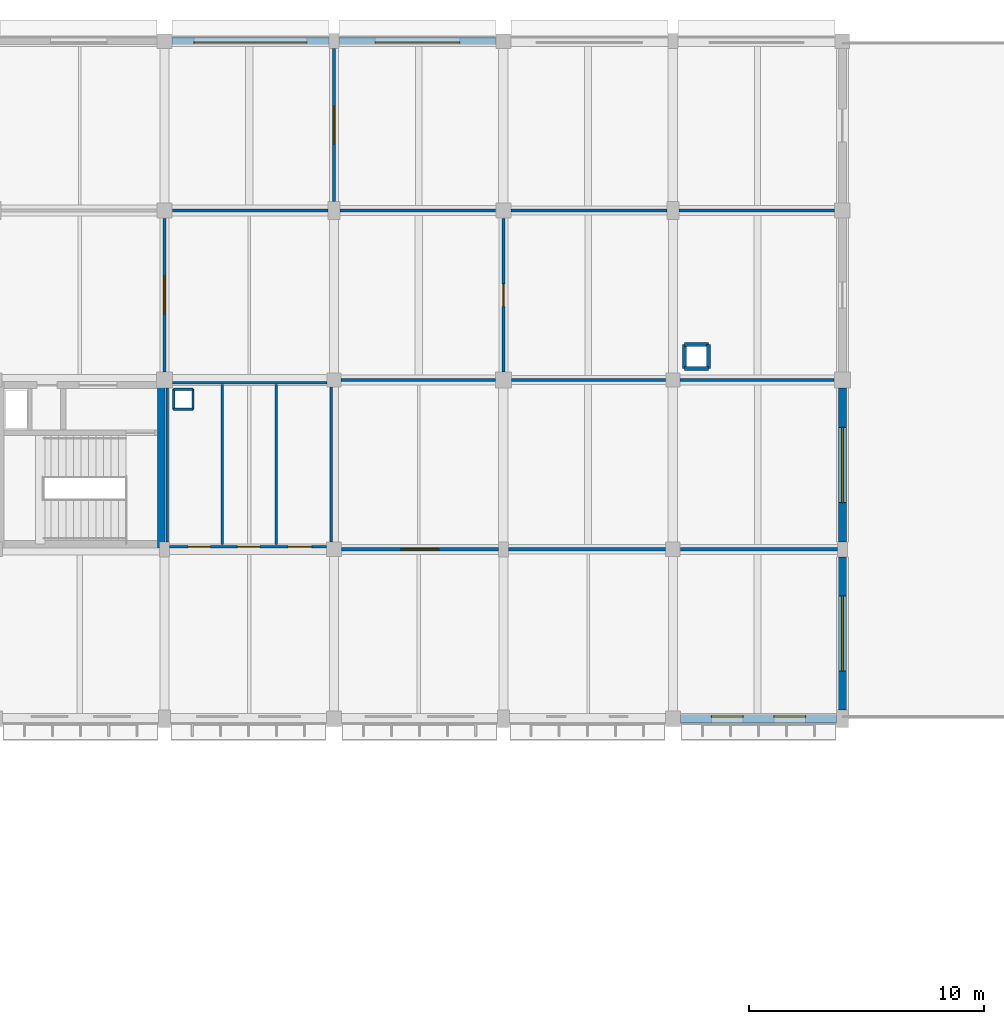
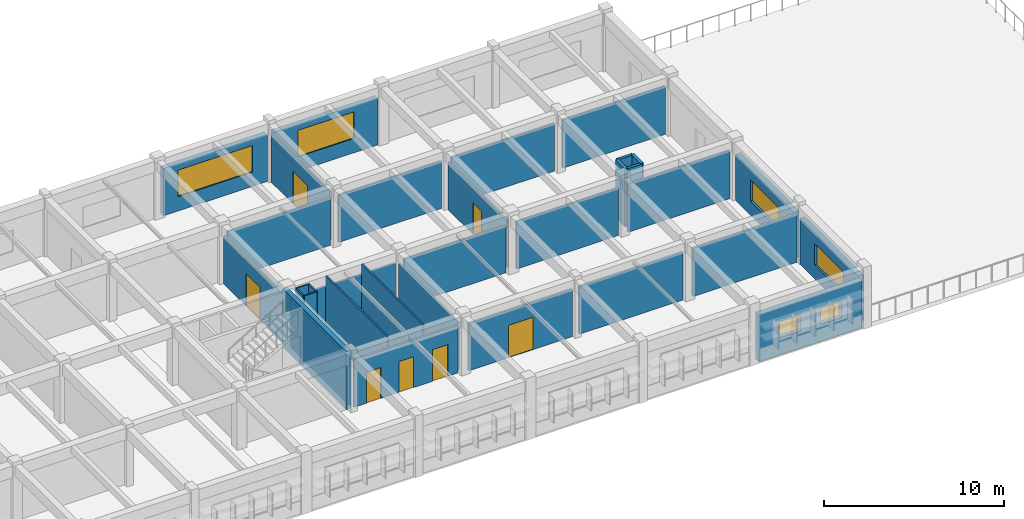
# One storey, part 27 of 38: 33 walls, 7 doors, 6 windows, 13 openings.
"""IFC4 building model written with IfcOpenShell, lengths in metres."""

from ifc_helpers import new_model, si_unit, direction, frame, frame_2d, origin, place, context, subcontext, project, spatial, rectangle, extrude, material, layer, layer_set, type_object, element, fill, save


model = new_model("IFC4")

# Units and contexts
model_context = context("Model", 3, precision=1e-05, world=origin(), true_north=direction((0.0, 1.0)))
body_context = subcontext(model_context, "Body", "Model", "MODEL_VIEW")
ifc_project = project(units=[si_unit("LENGTHUNIT", "METRE"), si_unit("AREAUNIT", "SQUARE_METRE"), si_unit("VOLUMEUNIT", "CUBIC_METRE"), si_unit("PLANEANGLEUNIT", "RADIAN"), si_unit("MASSUNIT", "GRAM", prefix="KILO")], contexts=[model_context])

# Site, building, storey
site_placement = place(None, origin())
site = spatial("IfcSite", under=ifc_project, at=site_placement, CompositionType="ELEMENT")
building_placement = place(site_placement, origin())
building = spatial("IfcBuilding", under=site, at=building_placement, Name="Thalmaran Polytechnic", CompositionType="ELEMENT")
storey_placement = place(building_placement, frame((0.0, 0.0, 18.60009765625)))
storey = spatial("IfcBuildingStorey", under=building, at=storey_placement, Name="L04", CompositionType="ELEMENT", Elevation=18.60009765625)

# Wall, openings, windows
ifc_material_1 = material(Name="Precast concrete C40/50", Category="concrete")
ifc_layer_1 = layer(ifc_material_1, 0.360107421875, Name="Precast concrete C40/50")
ifc_layer_set_1 = layer_set([ifc_layer_1], Name="Precast concrete C40/50")
wall_type_1 = type_object("IfcWallType", Name="WL-EW01", PredefinedType="STANDARD", material=ifc_layer_set_1)
wall_1_placement = place(storey_placement, frame((93.35009765625, 93.60009765625, 0.0), z_axis=(0.0, 0.0, 1.0), x_axis=(-1.0, 0.0, 0.0)))
wall_1 = element("IfcWall", 1, at=wall_1_placement, inside=storey, type_object=wall_type_1, Name="Exterior Precast Facade Wall L04-069", PredefinedType="STANDARD", context=body_context, shape_type="SweptSolid", body=[
    extrude(rectangle(XDim=6.625, YDim=0.360107421875, at=frame_2d((3.3125, 0.0))), origin(), (0.0, 0.0, 1.0), 3.179931640625),
])
opening_1_placement = place(wall_1_placement, frame((1.3125, 0.0, 1.14990234375)))
opening_1 = element("IfcOpeningElement", 2, at=opening_1_placement, cuts=wall_1, Name="Opening PW15", PredefinedType="OPENING", context=body_context, shape_type="SweptSolid", body=[
    extrude(rectangle(XDim=1.35009765625, YDim=1.10009765625, at=frame_2d((0.675048828125, 0.550048828125))), frame((0.0, 0.18994140625, 0.0), z_axis=(0.0, -1.0, 0.0), x_axis=(1.0, 0.0, 0.0)), (0.0, 0.0, 1.0), 0.380126953125),
])
opening_2_placement = place(wall_1_placement, frame((3.96240234375, 0.0, 1.14990234375)))
opening_2 = element("IfcOpeningElement", 3, at=opening_2_placement, cuts=wall_1, Name="Opening PW15", PredefinedType="OPENING", context=body_context, shape_type="SweptSolid", body=[
    extrude(rectangle(XDim=1.35009765625, YDim=1.10009765625, at=frame_2d((0.675048828125, 0.550048828125))), frame((0.0, 0.18994140625, 0.0), z_axis=(0.0, -1.0, 0.0), x_axis=(1.0, 0.0, 0.0)), (0.0, 0.0, 1.0), 0.380126953125),
])
ifc_material_2 = material(Name="Thermally broken aluminium and double low-E glass", Category="aluminium")
window_type_1 = type_object("IfcWindowType", Name="WN-PW05", PartitioningType="SINGLE_PANEL", PredefinedType="WINDOW", material=ifc_material_2)
window_1_placement = place(opening_1_placement, origin())
window_1 = element("IfcWindow", 4, at=window_1_placement, inside=storey, type_object=window_type_1, Name="Deep-Set Solar-Screened Window W-0604", OverallHeight=1.10009765625, OverallWidth=1.35009765625, PartitioningType="SINGLE_PANEL", PredefinedType="WINDOW", context=body_context, shape_type="SweptSolid", body=[
    extrude(rectangle(XDim=1.35009765625, YDim=1.10009765625, at=frame_2d((0.675048828125, 0.550048828125))), frame((0.0, -0.080078125, 0.0), z_axis=(0.0, -1.0, 0.0), x_axis=(1.0, 0.0, 0.0)), (0.0, 0.0, 1.0), 0.06005859375),
])
fill(opening_1, window_1)
window_2_placement = place(opening_2_placement, origin())
window_2 = element("IfcWindow", 5, at=window_2_placement, inside=storey, type_object=window_type_1, Name="Deep-Set Solar-Screened Window W-0605", OverallHeight=1.10009765625, OverallWidth=1.35009765625, PartitioningType="SINGLE_PANEL", PredefinedType="WINDOW", context=body_context, shape_type="SweptSolid", body=[
    extrude(rectangle(XDim=1.35009765625, YDim=1.10009765625, at=frame_2d((0.675048828125, 0.550048828125))), frame((0.0, -0.080078125, 0.0), z_axis=(0.0, -1.0, 0.0), x_axis=(1.0, 0.0, 0.0)), (0.0, 0.0, 1.0), 0.06005859375),
])
fill(opening_2, window_2)

# Wall, opening, window
ifc_layer_2 = layer(ifc_material_1, 0.330078125, Name="Precast concrete C40/50")
ifc_layer_set_2 = layer_set([ifc_layer_2], Name="Precast concrete C40/50")
wall_type_2 = type_object("IfcWallType", Name="WL-EW02", PredefinedType="STANDARD", material=ifc_layer_set_2)
wall_2_placement = place(storey_placement, frame((93.60009765625, 107.659912109375, 0.0), z_axis=(0.0, 0.0, 1.0), x_axis=(0.0, -1.0, 0.0)))
wall_2 = element("IfcWall", 6, at=wall_2_placement, inside=storey, type_object=wall_type_2, Name="Terrace Access Wall L04-067", PredefinedType="STANDARD", context=body_context, shape_type="SweptSolid", body=[
    extrude(rectangle(XDim=6.539794921875, YDim=0.330078125, at=frame_2d((3.27001953125, 0.0))), origin(), (0.0, 0.0, 1.0), 3.1298828125),
])
opening_3_placement = place(wall_2_placement, frame((1.669921875, 0.0, 0.949951171875)))
opening_3 = element("IfcOpeningElement", 7, at=opening_3_placement, cuts=wall_2, Name="Opening RW04", PredefinedType="OPENING", context=body_context, shape_type="SweptSolid", body=[
    extrude(rectangle(XDim=3.199951171875, YDim=1.449951171875, at=frame_2d((1.60009765625, 0.72509765625))), frame((0.0, 0.175048828125, 0.0), z_axis=(0.0, -1.0, 0.0), x_axis=(1.0, 0.0, 0.0)), (0.0, 0.0, 1.0), 0.35009765625),
])
window_type_2 = type_object("IfcWindowType", Name="WN-RW04", PartitioningType="DOUBLE_PANEL_VERTICAL", PredefinedType="WINDOW", material=ifc_material_2)
window_3_placement = place(opening_3_placement, origin())
window_3 = element("IfcWindow", 8, at=window_3_placement, inside=storey, type_object=window_type_2, Name="Terrace Ribbon Window W-0602", OverallHeight=1.449951171875, OverallWidth=3.199951171875, PartitioningType="SINGLE_PANEL", PredefinedType="WINDOW", context=body_context, shape_type="SweptSolid", body=[
    extrude(rectangle(XDim=3.199951171875, YDim=1.449951171875, at=frame_2d((1.60009765625, 0.72509765625))), frame((0.0, 0.030029296875, 0.0), z_axis=(0.0, -1.0, 0.0), x_axis=(1.0, 0.0, 0.0)), (0.0, 0.0, 1.0), 0.06005859375),
])
fill(opening_3, window_3)

wall_3_placement = place(storey_placement, frame((93.60009765625, 100.47998046875, 0.0), z_axis=(0.0, 0.0, 1.0), x_axis=(0.0, -1.0, 0.0)))
wall_3 = element("IfcWall", 9, at=wall_3_placement, inside=storey, type_object=wall_type_2, Name="Terrace Access Wall L04-068", PredefinedType="STANDARD", context=body_context, shape_type="SweptSolid", body=[
    extrude(rectangle(XDim=6.5048828125, YDim=0.330078125, at=frame_2d((3.25244140625, 0.0))), origin(), (0.0, 0.0, 1.0), 3.1298828125),
])
opening_4_placement = place(wall_3_placement, frame((1.652587890625, 0.0, 0.949951171875)))
opening_4 = element("IfcOpeningElement", 10, at=opening_4_placement, cuts=wall_3, Name="Opening RW04", PredefinedType="OPENING", context=body_context, shape_type="SweptSolid", body=[
    extrude(rectangle(XDim=3.199951171875, YDim=1.449951171875, at=frame_2d((1.60009765625, 0.72509765625))), frame((0.0, 0.175048828125, 0.0), z_axis=(0.0, -1.0, 0.0), x_axis=(1.0, 0.0, 0.0)), (0.0, 0.0, 1.0), 0.35009765625),
])
window_4_placement = place(opening_4_placement, origin())
window_4 = element("IfcWindow", 11, at=window_4_placement, inside=storey, type_object=window_type_2, Name="Terrace Ribbon Window W-0603", OverallHeight=1.449951171875, OverallWidth=3.199951171875, PartitioningType="SINGLE_PANEL", PredefinedType="WINDOW", context=body_context, shape_type="SweptSolid", body=[
    extrude(rectangle(XDim=3.199951171875, YDim=1.449951171875, at=frame_2d((1.60009765625, 0.72509765625))), frame((0.0, 0.030029296875, 0.0), z_axis=(0.0, -1.0, 0.0), x_axis=(1.0, 0.0, 0.0)), (0.0, 0.0, 1.0), 0.06005859375),
])
fill(opening_4, window_4)

ifc_layer_3 = layer(ifc_material_1, 0.31005859375, Name="Precast concrete C40/50")
ifc_layer_set_3 = layer_set([ifc_layer_3], Name="Precast concrete C40/50")
wall_type_3 = type_object("IfcWallType", Name="WL-EW03", PredefinedType="STANDARD", material=ifc_layer_set_3)
wall_4_placement = place(storey_placement, frame((65.110107421875, 122.39990234375, 0.0), z_axis=(0.0, 0.0, 1.0), x_axis=(1.0, 0.0, 0.0)))
wall_4 = element("IfcWall", 12, at=wall_4_placement, inside=storey, type_object=wall_type_3, Name="Exterior Precast Facade Wall L04-061", PredefinedType="STANDARD", context=body_context, shape_type="SweptSolid", body=[
    extrude(rectangle(XDim=6.679931640625, YDim=0.31005859375, at=frame_2d((3.33984375, 0.0))), origin(), (0.0, 0.0, 1.0), 3.199951171875),
])
opening_5_placement = place(wall_4_placement, frame((0.93994140625, 0.0, 0.97998046875)))
opening_5 = element("IfcOpeningElement", 13, at=opening_5_placement, cuts=wall_4, Name="Opening RW07", PredefinedType="OPENING", context=body_context, shape_type="SweptSolid", body=[
    extrude(rectangle(XDim=4.800048828125, YDim=1.800048828125, at=frame_2d((2.39990234375, 0.89990234375))), frame((0.0, 0.1650390625, 0.0), z_axis=(0.0, -1.0, 0.0), x_axis=(1.0, 0.0, 0.0)), (0.0, 0.0, 1.0), 0.330078125),
])
window_type_3 = type_object("IfcWindowType", Name="WN-RW07", PartitioningType="TRIPLE_PANEL_HORIZONTAL", PredefinedType="WINDOW", material=ifc_material_2)
window_5_placement = place(opening_5_placement, origin())
window_5 = element("IfcWindow", 14, at=window_5_placement, inside=storey, type_object=window_type_3, Name="Streamline Ribbon Window W-0598", OverallHeight=1.800048828125, OverallWidth=4.800048828125, PartitioningType="SINGLE_PANEL", PredefinedType="WINDOW", context=body_context, shape_type="SweptSolid", body=[
    extrude(rectangle(XDim=4.800048828125, YDim=1.800048828125, at=frame_2d((2.39990234375, 0.89990234375))), frame((0.0, -0.030029296875, 0.0), z_axis=(0.0, -1.0, 0.0), x_axis=(1.0, 0.0, 0.0)), (0.0, 0.0, 1.0), 0.06005859375),
])
fill(opening_5, window_5)

wall_5_placement = place(storey_placement, frame((72.2099609375, 122.39990234375, 0.0), z_axis=(0.0, 0.0, 1.0), x_axis=(1.0, 0.0, 0.0)))
wall_5 = element("IfcWall", 15, at=wall_5_placement, inside=storey, type_object=wall_type_3, Name="Exterior Precast Facade Wall L04-062", PredefinedType="STANDARD", context=body_context, shape_type="SweptSolid", body=[
    extrude(rectangle(XDim=6.679931640625, YDim=0.31005859375, at=frame_2d((3.33984375, 0.0))), origin(), (0.0, 0.0, 1.0), 3.179931640625),
])
opening_6_placement = place(wall_5_placement, frame((1.5400390625, 0.0, 0.97998046875)))
opening_6 = element("IfcOpeningElement", 16, at=opening_6_placement, cuts=wall_5, Name="Opening RW08", PredefinedType="OPENING", context=body_context, shape_type="SweptSolid", body=[
    extrude(rectangle(XDim=3.60009765625, YDim=1.800048828125, at=frame_2d((1.800048828125, 0.89990234375))), frame((0.0, 0.1650390625, 0.0), z_axis=(0.0, -1.0, 0.0), x_axis=(1.0, 0.0, 0.0)), (0.0, 0.0, 1.0), 0.330078125),
])
window_type_4 = type_object("IfcWindowType", Name="WN-RW08", PartitioningType="DOUBLE_PANEL_VERTICAL", PredefinedType="WINDOW", material=ifc_material_2)
window_6_placement = place(opening_6_placement, origin())
window_6 = element("IfcWindow", 17, at=window_6_placement, inside=storey, type_object=window_type_4, Name="Streamline Ribbon Window W-0599", OverallHeight=1.800048828125, OverallWidth=3.60009765625, PartitioningType="SINGLE_PANEL", PredefinedType="WINDOW", context=body_context, shape_type="SweptSolid", body=[
    extrude(rectangle(XDim=3.60009765625, YDim=1.800048828125, at=frame_2d((1.800048828125, 0.89990234375))), frame((0.0, -0.030029296875, 0.0), z_axis=(0.0, -1.0, 0.0), x_axis=(1.0, 0.0, 0.0)), (0.0, 0.0, 1.0), 0.06005859375),
])
fill(opening_6, window_6)

# Walls
ifc_material_3 = material(Name="Autoclaved aerated masonry", Category="masonry")
ifc_layer_4 = layer(ifc_material_3, 0.179931640625, Name="Autoclaved aerated masonry")
ifc_layer_set_4 = layer_set([ifc_layer_4], Name="Autoclaved aerated masonry")
wall_type_4 = type_object("IfcWallType", Name="WL-IW04", PredefinedType="PARTITIONING", material=ifc_layer_set_4)
for number, where, z_axis, x_axis, name in (
    (18, (86.889892578125, 108.489990234375, 0.0), (0.0, 0.0, 1.0), (1.0, 0.0, 0.0), "Fume Exhaust Riser Shaft Wall L04 (12,15)-S"),
    (19, (87.909912109375, 108.489990234375, 0.0), (0.0, 0.0, 1.0), (0.0, 1.0, 0.0), "Fume Exhaust Riser Shaft Wall L04 (12,15)-E"),
    (20, (87.909912109375, 109.510009765625, 0.0), (0.0, 0.0, 1.0), (-1.0, 0.0, 0.0), "Fume Exhaust Riser Shaft Wall L04 (12,15)-N"),
    (21, (86.889892578125, 109.510009765625, 0.0), (0.0, 0.0, 1.0), (0.0, -1.0, 0.0), "Fume Exhaust Riser Shaft Wall L04 (12,15)-W"),
):
    element("IfcWall", number, at=place(storey_placement, frame(where, z_axis=z_axis, x_axis=x_axis)), inside=storey, type_object=wall_type_4, Name=name, PredefinedType="PARTITIONING", context=body_context, shape_type="SweptSolid", body=[
        extrude(rectangle(XDim=1.02001953125, YDim=0.179931640625, at=frame_2d((0.510009765625, 0.0))), origin(), (0.0, 0.0, 1.0), 3.954833984375),
    ])

# Wall, opening, door
ifc_material_4 = material(Name="Gypsum acoustic partition")
ifc_layer_5 = layer(ifc_material_4, 0.14501953125, Name="Gypsum acoustic partition")
ifc_layer_set_5 = layer_set([ifc_layer_5], Name="Gypsum acoustic partition")
wall_type_5 = type_object("IfcWallType", Name="WL-IW06", PredefinedType="PARTITIONING", material=ifc_layer_set_5)
wall_6_placement = place(storey_placement, frame((64.800048828125, 108.344970703125, 0.0), z_axis=(0.0, 0.0, 1.0), x_axis=(0.0, 1.0, 0.0)))
wall_6 = element("IfcWall", 22, at=wall_6_placement, inside=storey, type_object=wall_type_5, Name="Interior Partition IW06 L04-048", PredefinedType="PARTITIONING", context=body_context, shape_type="SweptSolid", body=[
    extrude(rectangle(XDim=6.525146484375, YDim=0.14501953125, at=frame_2d((3.2626953125, 0.0))), origin(), (0.0, 0.0, 1.0), 3.260009765625),
])
opening_7_placement = place(wall_6_placement, frame((2.46240234375, 0.0, 0.0)))
opening_7 = element("IfcOpeningElement", 23, at=opening_7_placement, cuts=wall_6, Name="Opening D-L04-020-2-13-1", PredefinedType="OPENING", context=body_context, shape_type="SweptSolid", body=[
    extrude(rectangle(XDim=1.60009765625, YDim=2.199951171875, at=frame_2d((0.800048828125, 1.10009765625))), frame((0.0, 0.08251953125, 0.0), z_axis=(0.0, -1.0, 0.0), x_axis=(1.0, 0.0, 0.0)), (0.0, 0.0, 1.0), 0.1650390625),
])
ifc_material_5 = material(Name="Powder-coated fire-rated steel", Category="steel")
door_type_1 = type_object("IfcDoorType", Name="DR-FD05", OperationType="NOTDEFINED", PredefinedType="DOOR", material=ifc_material_5)
door_1_placement = place(opening_7_placement, origin())
door_1 = element("IfcDoor", 24, at=door_1_placement, inside=storey, type_object=door_type_1, Name="Technical Reference Library Reading Room L04-13 Door 1", OperationType="DOUBLE_DOOR_SINGLE_SWING", OverallHeight=2.199951171875, OverallWidth=1.60009765625, PredefinedType="DOOR", context=body_context, shape_type="SweptSolid", body=[
    extrude(rectangle(XDim=1.60009765625, YDim=2.199951171875, at=frame_2d((0.800048828125, 1.10009765625))), frame((0.0, 0.02490234375, 0.0), z_axis=(0.0, -1.0, 0.0), x_axis=(1.0, 0.0, 0.0)), (0.0, 0.0, 1.0), 0.050048828125),
])
fill(opening_7, door_1)

wall_7_placement = place(storey_placement, frame((72.31494140625, 100.800048828125, 0.0), z_axis=(0.0, 0.0, 1.0), x_axis=(1.0, 0.0, 0.0)))
wall_7 = element("IfcWall", 25, at=wall_7_placement, inside=storey, type_object=wall_type_5, Name="Interior Partition IW06 L04-052", PredefinedType="PARTITIONING", context=body_context, shape_type="SweptSolid", body=[
    extrude(rectangle(XDim=6.670166015625, YDim=0.14501953125, at=frame_2d((3.3349609375, 0.0))), origin(), (0.0, 0.0, 1.0), 3.21484375),
])
opening_8_placement = place(wall_7_placement, frame((2.534912109375, 0.0, 0.0)))
opening_8 = element("IfcOpeningElement", 26, at=opening_8_placement, cuts=wall_7, Name="Opening D-L04-021-2-14-1", PredefinedType="OPENING", context=body_context, shape_type="SweptSolid", body=[
    extrude(rectangle(XDim=1.60009765625, YDim=2.199951171875, at=frame_2d((0.800048828125, 1.10009765625))), frame((0.0, 0.08251953125, 0.0), z_axis=(0.0, -1.0, 0.0), x_axis=(1.0, 0.0, 0.0)), (0.0, 0.0, 1.0), 0.1650390625),
])
door_2_placement = place(opening_8_placement, origin())
door_2 = element("IfcDoor", 27, at=door_2_placement, inside=storey, type_object=door_type_1, Name="Polytechnic Library Reading Hall L04-14 Door 1", OperationType="DOUBLE_DOOR_SINGLE_SWING", OverallHeight=2.199951171875, OverallWidth=1.60009765625, PredefinedType="DOOR", context=body_context, shape_type="SweptSolid", body=[
    extrude(rectangle(XDim=1.60009765625, YDim=2.199951171875, at=frame_2d((0.800048828125, 1.10009765625))), frame((0.0, 0.02490234375, 0.0), z_axis=(0.0, -1.0, 0.0), x_axis=(1.0, 0.0, 0.0)), (0.0, 0.0, 1.0), 0.050048828125),
])
fill(opening_8, door_2)

# Walls
wall_8_placement = place(storey_placement, frame((79.4150390625, 100.800048828125, 0.0), z_axis=(0.0, 0.0, 1.0), x_axis=(1.0, 0.0, 0.0)))
element("IfcWall", 28, at=wall_8_placement, inside=storey, type_object=wall_type_5, Name="Interior Partition IW06 L04-056", PredefinedType="PARTITIONING", context=body_context, shape_type="SweptSolid", body=[
    extrude(rectangle(XDim=6.669921875, YDim=0.14501953125, at=frame_2d((3.3349609375, 0.0))), origin(), (0.0, 0.0, 1.0), 3.23486328125),
])
wall_9_placement = place(storey_placement, frame((86.715087890625, 100.800048828125, 0.0), z_axis=(0.0, 0.0, 1.0), x_axis=(1.0, 0.0, 0.0)))
element("IfcWall", 29, at=wall_9_placement, inside=storey, type_object=wall_type_5, Name="Interior Partition IW06 L04-059", PredefinedType="PARTITIONING", context=body_context, shape_type="SweptSolid", body=[
    extrude(rectangle(XDim=6.669921875, YDim=0.14501953125, at=frame_2d((3.3349609375, 0.0))), origin(), (0.0, 0.0, 1.0), 3.27490234375),
])
ifc_layer_6 = layer(ifc_material_4, 0.1298828125, Name="Gypsum acoustic partition")
ifc_layer_set_6 = layer_set([ifc_layer_6], Name="Gypsum acoustic partition")
wall_type_6 = type_object("IfcWallType", Name="WL-IW07", PredefinedType="PARTITIONING", material=ifc_layer_set_6)
wall_10_placement = place(storey_placement, frame((65.1298828125, 115.199951171875, 0.0), z_axis=(0.0, 0.0, 1.0), x_axis=(1.0, 0.0, 0.0)))
element("IfcWall", 30, at=wall_10_placement, inside=storey, type_object=wall_type_6, Name="Interior Partition IW07 L04-050", PredefinedType="PARTITIONING", context=body_context, shape_type="SweptSolid", body=[
    extrude(rectangle(XDim=6.615234375, YDim=0.1298828125, at=frame_2d((3.3076171875, 0.0))), origin(), (0.0, 0.0, 1.0), 3.22998046875),
])

# Wall, opening, door
wall_11_placement = place(storey_placement, frame((79.199951171875, 108.344970703125, 0.0), z_axis=(0.0, 0.0, 1.0), x_axis=(0.0, 1.0, 0.0)))
wall_11 = element("IfcWall", 31, at=wall_11_placement, inside=storey, type_object=wall_type_6, Name="Interior Partition IW07 L04-054", PredefinedType="PARTITIONING", context=body_context, shape_type="SweptSolid", body=[
    extrude(rectangle(XDim=6.525146484375, YDim=0.1298828125, at=frame_2d((3.2626953125, 0.0))), origin(), (0.0, 0.0, 1.0), 3.239990234375),
])
opening_9_placement = place(wall_11_placement, frame((2.78759765625, 0.0, 0.0)))
opening_9 = element("IfcOpeningElement", 32, at=opening_9_placement, cuts=wall_11, Name="Opening D-L04-023-2-16-1", PredefinedType="OPENING", context=body_context, shape_type="SweptSolid", body=[
    extrude(rectangle(XDim=0.949951171875, YDim=2.14990234375, at=frame_2d((0.47509765625, 1.074951171875))), frame((0.0, 0.074951171875, 0.0), z_axis=(0.0, -1.0, 0.0), x_axis=(1.0, 0.0, 0.0)), (0.0, 0.0, 1.0), 0.14990234375),
])
door_type_2 = type_object("IfcDoorType", Name="DR-FD08", OperationType="NOTDEFINED", PredefinedType="DOOR", material=ifc_material_5)
door_3_placement = place(opening_9_placement, origin())
door_3 = element("IfcDoor", 33, at=door_3_placement, inside=storey, type_object=door_type_2, Name="Digital Learning Commons L04-16 Door 1", OperationType="SINGLE_SWING_RIGHT", OverallHeight=2.14990234375, OverallWidth=0.949951171875, PredefinedType="DOOR", context=body_context, shape_type="SweptSolid", body=[
    extrude(rectangle(XDim=0.949951171875, YDim=2.14990234375, at=frame_2d((0.47509765625, 1.074951171875))), frame((0.0, 0.02490234375, 0.0), z_axis=(0.0, -1.0, 0.0), x_axis=(1.0, 0.0, 0.0)), (0.0, 0.0, 1.0), 0.050048828125),
])
fill(opening_9, door_3)

# Walls
wall_12_placement = place(storey_placement, frame((79.530029296875, 115.199951171875, 0.0), z_axis=(0.0, 0.0, 1.0), x_axis=(1.0, 0.0, 0.0)))
element("IfcWall", 34, at=wall_12_placement, inside=storey, type_object=wall_type_6, Name="Interior Partition IW07 L04-058", PredefinedType="PARTITIONING", context=body_context, shape_type="SweptSolid", body=[
    extrude(rectangle(XDim=6.614990234375, YDim=0.1298828125, at=frame_2d((3.3076171875, 0.0))), origin(), (0.0, 0.0, 1.0), 3.23486328125),
])
wall_13_placement = place(storey_placement, frame((86.705078125, 108.0, 0.0), z_axis=(0.0, 0.0, 1.0), x_axis=(1.0, 0.0, 0.0)))
element("IfcWall", 35, at=wall_13_placement, inside=storey, type_object=wall_type_6, Name="Interior Partition IW07 L04-060", PredefinedType="PARTITIONING", context=body_context, shape_type="SweptSolid", body=[
    extrude(rectangle(XDim=6.5498046875, YDim=0.1298828125, at=frame_2d((3.27490234375, 0.0))), origin(), (0.0, 0.0, 1.0), 3.27490234375),
])

# Wall, openings, doors
ifc_layer_7 = layer(ifc_material_4, 0.114990234375, Name="Gypsum acoustic partition")
ifc_layer_set_7 = layer_set([ifc_layer_7], Name="Gypsum acoustic partition")
wall_type_7 = type_object("IfcWallType", Name="WL-IW08", PredefinedType="PARTITIONING", material=ifc_layer_set_7)
wall_14_placement = place(storey_placement, frame((65.014892578125, 100.919921875, 0.0), z_axis=(0.0, 0.0, 1.0), x_axis=(1.0, 0.0, 0.0)))
wall_14 = element("IfcWall", 36, at=wall_14_placement, inside=storey, type_object=wall_type_7, Name="Sanitary Core Wall L04-W2-S", PredefinedType="PARTITIONING", context=body_context, shape_type="SweptSolid", body=[
    extrude(rectangle(XDim=6.670166015625, YDim=0.114990234375, at=frame_2d((3.3349609375, 0.0))), origin(), (0.0, 0.0, 1.0), 3.22998046875),
])
opening_10_placement = place(wall_14_placement, frame((0.784912109375, 0.0, 0.0)))
opening_10 = element("IfcOpeningElement", 37, at=opening_10_placement, cuts=wall_14, Name="Opening WD-L04-W2-1", PredefinedType="OPENING", context=body_context, shape_type="SweptSolid", body=[
    extrude(rectangle(XDim=0.949951171875, YDim=2.10009765625, at=frame_2d((0.47509765625, 1.050048828125))), frame((0.0, 0.0673828125, 0.0), z_axis=(0.0, -1.0, 0.0), x_axis=(1.0, 0.0, 0.0)), (0.0, 0.0, 1.0), 0.135009765625),
])
opening_11_placement = place(wall_14_placement, frame((2.885009765625, 0.0, 0.0)))
opening_11 = element("IfcOpeningElement", 38, at=opening_11_placement, cuts=wall_14, Name="Opening WD-L04-W2-2", PredefinedType="OPENING", context=body_context, shape_type="SweptSolid", body=[
    extrude(rectangle(XDim=0.949951171875, YDim=2.10009765625, at=frame_2d((0.47509765625, 1.050048828125))), frame((0.0, 0.0673828125, 0.0), z_axis=(0.0, -1.0, 0.0), x_axis=(1.0, 0.0, 0.0)), (0.0, 0.0, 1.0), 0.135009765625),
])
opening_12_placement = place(wall_14_placement, frame((5.034912109375, 0.0, 0.0)))
opening_12 = element("IfcOpeningElement", 39, at=opening_12_placement, cuts=wall_14, Name="Opening WD-L04-W2-3", PredefinedType="OPENING", context=body_context, shape_type="SweptSolid", body=[
    extrude(rectangle(XDim=1.0, YDim=2.14990234375, at=frame_2d((0.5, 1.074951171875))), frame((0.0, 0.0673828125, 0.0), z_axis=(0.0, -1.0, 0.0), x_axis=(1.0, 0.0, 0.0)), (0.0, 0.0, 1.0), 0.135009765625),
])
ifc_material_6 = material(Name="Acoustic hardwood", Category="wood")
door_type_3 = type_object("IfcDoorType", Name="DR-ID06", OperationType="NOTDEFINED", PredefinedType="DOOR", material=ifc_material_6)
door_4_placement = place(opening_12_placement, origin())
door_4 = element("IfcDoor", 40, at=door_4_placement, inside=storey, type_object=door_type_3, Name="Accessible WC Door L04-W2", OperationType="SINGLE_SWING_LEFT", OverallHeight=2.14990234375, OverallWidth=1.0, PredefinedType="DOOR", context=body_context, shape_type="SweptSolid", body=[
    extrude(rectangle(XDim=1.0, YDim=2.14990234375, at=frame_2d((0.5, 1.074951171875))), frame((0.0, 0.02490234375, 0.0), z_axis=(0.0, -1.0, 0.0), x_axis=(1.0, 0.0, 0.0)), (0.0, 0.0, 1.0), 0.050048828125),
])
fill(opening_12, door_4)
ifc_material_7 = material(Name="Moisture-resistant laminate timber", Category="wood")
door_type_4 = type_object("IfcDoorType", Name="DR-ID07", OperationType="NOTDEFINED", PredefinedType="DOOR", material=ifc_material_7)
door_5_placement = place(opening_10_placement, origin())
door_5 = element("IfcDoor", 41, at=door_5_placement, inside=storey, type_object=door_type_4, Name="Male WC Door L04-W2", OperationType="SINGLE_SWING_LEFT", OverallHeight=2.10009765625, OverallWidth=0.949951171875, PredefinedType="DOOR", context=body_context, shape_type="SweptSolid", body=[
    extrude(rectangle(XDim=0.949951171875, YDim=2.10009765625, at=frame_2d((0.47509765625, 1.050048828125))), frame((0.0, 0.02490234375, 0.0), z_axis=(0.0, -1.0, 0.0), x_axis=(1.0, 0.0, 0.0)), (0.0, 0.0, 1.0), 0.050048828125),
])
fill(opening_10, door_5)
door_6_placement = place(opening_11_placement, origin())
door_6 = element("IfcDoor", 42, at=door_6_placement, inside=storey, type_object=door_type_4, Name="Female WC Door L04-W2", OperationType="SINGLE_SWING_RIGHT", OverallHeight=2.10009765625, OverallWidth=0.949951171875, PredefinedType="DOOR", context=body_context, shape_type="SweptSolid", body=[
    extrude(rectangle(XDim=0.949951171875, YDim=2.10009765625, at=frame_2d((0.47509765625, 1.050048828125))), frame((0.0, 0.02490234375, 0.0), z_axis=(0.0, -1.0, 0.0), x_axis=(1.0, 0.0, 0.0)), (0.0, 0.0, 1.0), 0.050048828125),
])
fill(opening_11, door_6)

# Walls
wall_15_placement = place(storey_placement, frame((65.14501953125, 107.8798828125, 0.0), z_axis=(0.0, 0.0, 1.0), x_axis=(1.0, 0.0, 0.0)))
element("IfcWall", 43, at=wall_15_placement, inside=storey, type_object=wall_type_7, Name="Sanitary Core Wall L04-W2-N", PredefinedType="PARTITIONING", context=body_context, shape_type="SweptSolid", body=[
    extrude(rectangle(XDim=6.550048828125, YDim=0.114990234375, at=frame_2d((3.27490234375, 0.0))), origin(), (0.0, 0.0, 1.0), 3.22998046875),
])
wall_16_placement = place(storey_placement, frame((64.919921875, 101.125, 0.0), z_axis=(0.0, 0.0, 1.0), x_axis=(0.0, 1.0, 0.0)))
element("IfcWall", 44, at=wall_16_placement, inside=storey, type_object=wall_type_7, Name="Sanitary Side Wall L04-W2-W", PredefinedType="PARTITIONING", context=body_context, shape_type="SweptSolid", body=[
    extrude(rectangle(XDim=6.530029296875, YDim=0.114990234375, at=frame_2d((3.26513671875, 0.0))), origin(), (0.0, 0.0, 1.0), 3.260009765625),
])
wall_17_placement = place(storey_placement, frame((71.8798828125, 101.114990234375, 0.0), z_axis=(0.0, 0.0, 1.0), x_axis=(0.0, 1.0, 0.0)))
element("IfcWall", 45, at=wall_17_placement, inside=storey, type_object=wall_type_7, Name="Sanitary Side Wall L04-W2-E", PredefinedType="PARTITIONING", context=body_context, shape_type="SweptSolid", body=[
    extrude(rectangle(XDim=6.580078125, YDim=0.114990234375, at=frame_2d((3.2900390625, 0.0))), origin(), (0.0, 0.0, 1.0), 3.239990234375),
])

# Wall, opening, door
wall_18_placement = place(storey_placement, frame((72.0, 115.580078125, 0.0), z_axis=(0.0, 0.0, 1.0), x_axis=(0.0, 1.0, 0.0)))
wall_18 = element("IfcWall", 46, at=wall_18_placement, inside=storey, type_object=wall_type_7, Name="Interior Partition IW08 L04-051", PredefinedType="PARTITIONING", context=body_context, shape_type="SweptSolid", body=[
    extrude(rectangle(XDim=6.494873046875, YDim=0.114990234375, at=frame_2d((3.24755859375, 0.0))), origin(), (0.0, 0.0, 1.0), 3.304931640625),
])
opening_13_placement = place(wall_18_placement, frame((2.447509765625, 0.0, 0.0)))
opening_13 = element("IfcOpeningElement", 47, at=opening_13_placement, cuts=wall_18, Name="Opening D-L04-022-2-15-1", PredefinedType="OPENING", context=body_context, shape_type="SweptSolid", body=[
    extrude(rectangle(XDim=1.60009765625, YDim=2.199951171875, at=frame_2d((0.800048828125, 1.10009765625))), frame((0.0, 0.0673828125, 0.0), z_axis=(0.0, -1.0, 0.0), x_axis=(1.0, 0.0, 0.0)), (0.0, 0.0, 1.0), 0.135009765625),
])
door_7_placement = place(opening_13_placement, origin())
door_7 = element("IfcDoor", 48, at=door_7_placement, inside=storey, type_object=door_type_1, Name="Library Book Stacks L04-15 Door 1", OperationType="DOUBLE_DOOR_SINGLE_SWING", OverallHeight=2.199951171875, OverallWidth=1.60009765625, PredefinedType="DOOR", context=body_context, shape_type="SweptSolid", body=[
    extrude(rectangle(XDim=1.60009765625, YDim=2.199951171875, at=frame_2d((0.800048828125, 1.10009765625))), frame((0.0, 0.02490234375, 0.0), z_axis=(0.0, -1.0, 0.0), x_axis=(1.0, 0.0, 0.0)), (0.0, 0.0, 1.0), 0.050048828125),
])
fill(opening_13, door_7)

# Walls
wall_19_placement = place(storey_placement, frame((72.304931640625, 108.0, 0.0), z_axis=(0.0, 0.0, 1.0), x_axis=(1.0, 0.0, 0.0)))
element("IfcWall", 49, at=wall_19_placement, inside=storey, type_object=wall_type_7, Name="Interior Partition IW08 L04-053", PredefinedType="PARTITIONING", context=body_context, shape_type="SweptSolid", body=[
    extrude(rectangle(XDim=6.550048828125, YDim=0.114990234375, at=frame_2d((3.27490234375, 0.0))), origin(), (0.0, 0.0, 1.0), 3.21484375),
])
wall_20_placement = place(storey_placement, frame((72.2548828125, 115.199951171875, 0.0), z_axis=(0.0, 0.0, 1.0), x_axis=(1.0, 0.0, 0.0)))
element("IfcWall", 50, at=wall_20_placement, inside=storey, type_object=wall_type_7, Name="Interior Partition IW08 L04-055", PredefinedType="PARTITIONING", context=body_context, shape_type="SweptSolid", body=[
    extrude(rectangle(XDim=6.615234375, YDim=0.114990234375, at=frame_2d((3.3076171875, 0.0))), origin(), (0.0, 0.0, 1.0), 3.21484375),
])
wall_21_placement = place(storey_placement, frame((79.544921875, 108.0, 0.0), z_axis=(0.0, 0.0, 1.0), x_axis=(1.0, 0.0, 0.0)))
element("IfcWall", 51, at=wall_21_placement, inside=storey, type_object=wall_type_7, Name="Interior Partition IW08 L04-057", PredefinedType="PARTITIONING", context=body_context, shape_type="SweptSolid", body=[
    extrude(rectangle(XDim=6.550048828125, YDim=0.114990234375, at=frame_2d((3.27490234375, 0.0))), origin(), (0.0, 0.0, 1.0), 3.23486328125),
])
wall_22_placement = place(storey_placement, frame((86.655029296875, 115.199951171875, 0.0), z_axis=(0.0, 0.0, 1.0), x_axis=(1.0, 0.0, 0.0)))
element("IfcWall", 52, at=wall_22_placement, inside=storey, type_object=wall_type_7, Name="Interior Partition IW08 L04-061", PredefinedType="PARTITIONING", context=body_context, shape_type="SweptSolid", body=[
    extrude(rectangle(XDim=6.614990234375, YDim=0.114990234375, at=frame_2d((3.3076171875, 0.0))), origin(), (0.0, 0.0, 1.0), 3.27490234375),
])
ifc_material_8 = material(Name="Moisture-resistant partition")
ifc_layer_8 = layer(ifc_material_8, 0.10009765625, Name="Moisture-resistant partition")
ifc_layer_set_8 = layer_set([ifc_layer_8], Name="Moisture-resistant partition")
wall_type_8 = type_object("IfcWallType", Name="WL-IW09", PredefinedType="PARTITIONING", material=ifc_layer_set_8)
for number, where, z_axis, x_axis, name in (
    (53, (67.25, 101.0, 0.0), (0.0, 0.0, 1.0), (0.0, 1.0, 0.0), "WC Partition L04-W2-1"),
    (54, (69.550048828125, 101.0, 0.0), (0.0, 0.0, 1.0), (0.0, 1.0, 0.0), "WC Partition L04-W2-2"),
):
    element("IfcWall", number, at=place(storey_placement, frame(where, z_axis=z_axis, x_axis=x_axis)), inside=storey, type_object=wall_type_8, Name=name, PredefinedType="PARTITIONING", context=body_context, shape_type="SweptSolid", body=[
        extrude(rectangle(XDim=6.800048828125, YDim=0.10009765625, at=frame_2d((3.39990234375, 0.0))), origin(), (0.0, 0.0, 1.0), 3.954833984375),
    ])
wall_23_placement = place(storey_placement, frame((65.18994140625, 106.75, 0.0), z_axis=(0.0, 0.0, 1.0), x_axis=(1.0, 0.0, 0.0)))
element("IfcWall", 55, at=wall_23_placement, inside=storey, type_object=wall_type_8, Name="Plumbing Riser Chase Wall L04-W2-S", PredefinedType="PARTITIONING", context=body_context, shape_type="SweptSolid", body=[
    extrude(rectangle(XDim=0.820068359375, YDim=0.10009765625, at=frame_2d((0.41015625, 0.0))), origin(), (0.0, 0.0, 1.0), 3.954833984375),
])
wall_24_placement = place(storey_placement, frame((66.010009765625, 106.75, 0.0), z_axis=(0.0, 0.0, 1.0), x_axis=(0.0, 1.0, 0.0)))
element("IfcWall", 56, at=wall_24_placement, inside=storey, type_object=wall_type_8, Name="Plumbing Riser Chase Wall L04-W2-E", PredefinedType="PARTITIONING", context=body_context, shape_type="SweptSolid", body=[
    extrude(rectangle(XDim=0.860107421875, YDim=0.10009765625, at=frame_2d((0.43017578125, 0.0))), origin(), (0.0, 0.0, 1.0), 3.954833984375),
])
wall_25_placement = place(storey_placement, frame((66.010009765625, 107.610107421875, 0.0), z_axis=(0.0, 0.0, 1.0), x_axis=(-1.0, 0.0, 0.0)))
element("IfcWall", 57, at=wall_25_placement, inside=storey, type_object=wall_type_8, Name="Plumbing Riser Chase Wall L04-W2-N", PredefinedType="PARTITIONING", context=body_context, shape_type="SweptSolid", body=[
    extrude(rectangle(XDim=0.820068359375, YDim=0.10009765625, at=frame_2d((0.41015625, 0.0))), origin(), (0.0, 0.0, 1.0), 3.954833984375),
])
wall_26_placement = place(storey_placement, frame((65.18994140625, 107.610107421875, 0.0), z_axis=(0.0, 0.0, 1.0), x_axis=(0.0, -1.0, 0.0)))
element("IfcWall", 58, at=wall_26_placement, inside=storey, type_object=wall_type_8, Name="Plumbing Riser Chase Wall L04-W2-W", PredefinedType="PARTITIONING", context=body_context, shape_type="SweptSolid", body=[
    extrude(rectangle(XDim=0.860107421875, YDim=0.10009765625, at=frame_2d((0.43017578125, 0.0))), origin(), (0.0, 0.0, 1.0), 3.954833984375),
])
ifc_material_9 = material(Name="Concrete C50/60", Category="concrete")
ifc_layer_9 = layer(ifc_material_9, 0.300048828125, Name="Concrete C50/60")
ifc_layer_set_9 = layer_set([ifc_layer_9], Name="Concrete C50/60")
wall_type_9 = type_object("IfcWallType", Name="WL-SW04", PredefinedType="SHEAR", material=ifc_layer_set_9)
wall_27_placement = place(storey_placement, frame((64.659912109375, 100.8701171875, 0.0), z_axis=(0.0, 0.0, 1.0), x_axis=(0.0, 1.0, 0.0)))
element("IfcWall", 59, at=wall_27_placement, inside=storey, type_object=wall_type_9, Name="Core C6 East Shear Wall L04", PredefinedType="SHEAR", context=body_context, shape_type="SweptSolid", body=[
    extrude(rectangle(XDim=7.059814453125, YDim=0.300048828125, at=frame_2d((3.52978515625, 0.0))), origin(), (0.0, 0.0, 1.0), 3.954833984375),
])

save(model, "model.ifc")
